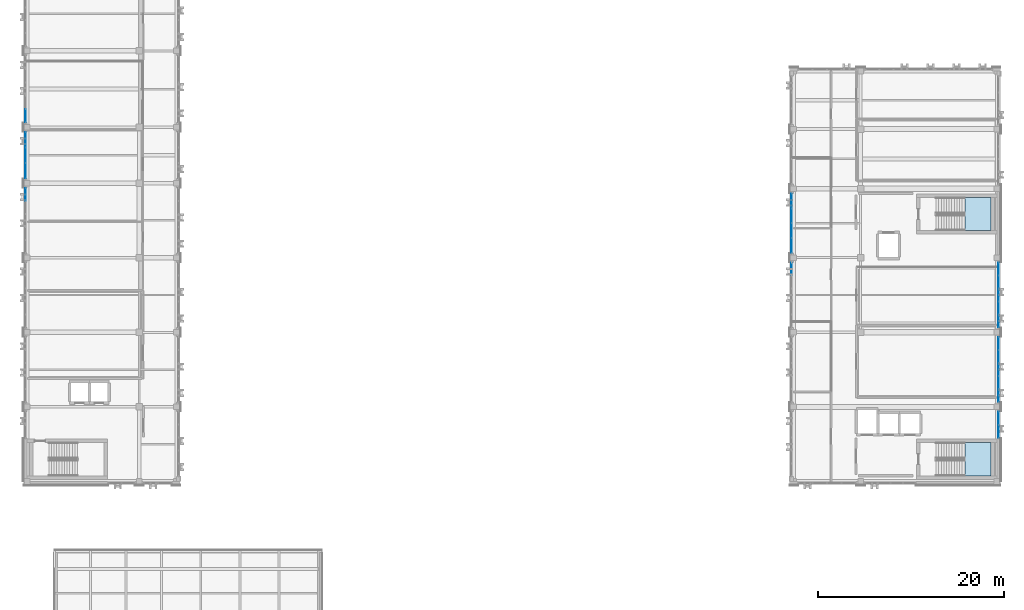
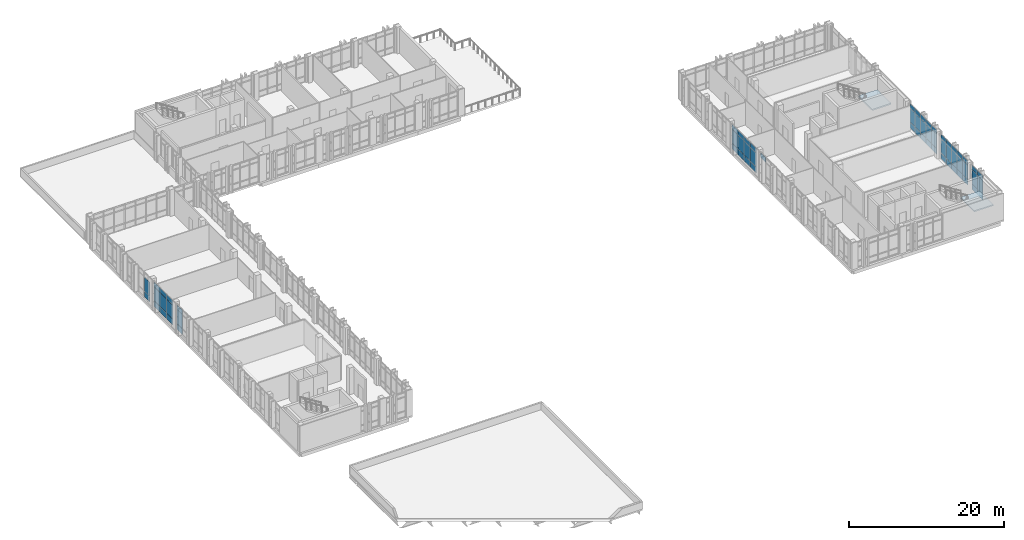
# One storey, part 61 of 90: 63 plates, 2 slabs, 10 elements without a shape of their own.
"""IFC4 building model written with IfcOpenShell, lengths in metres."""

from ifc_helpers import new_model, si_unit, direction, frame, origin, origin_2d, place, context, subcontext, project, spatial, polyline, rectangle, outline, extrude, material, layer, layer_set, type_object, element, aggregate, save


model = new_model("IFC4")

# Units and contexts
model_context = context("Model", 3, precision=1e-05, world=origin(), true_north=direction((0.0, 1.0)))
body_context = subcontext(model_context, "Body", "Model", "MODEL_VIEW")
ifc_project = project(units=[si_unit("LENGTHUNIT", "METRE"), si_unit("AREAUNIT", "SQUARE_METRE"), si_unit("VOLUMEUNIT", "CUBIC_METRE"), si_unit("PLANEANGLEUNIT", "RADIAN"), si_unit("MASSUNIT", "GRAM", prefix="KILO")], contexts=[model_context])

# Site, building, storey
site_placement = place(None, origin())
site = spatial("IfcSite", under=ifc_project, at=site_placement, CompositionType="ELEMENT")
building_placement = place(site_placement, origin())
building = spatial("IfcBuilding", under=site, at=building_placement, Name="Qalavern Law Courts", CompositionType="ELEMENT")
storey_placement = place(building_placement, frame((0.0, 0.0, 22.800048828125)))
storey = spatial("IfcBuildingStorey", under=building, at=storey_placement, Name="L05", CompositionType="ELEMENT", Elevation=22.800048828125)

# Curtain wall, plates
ifc_material_1 = material(Name="Anodised aluminium and insulated glazing", Category="aluminium")
ifc_layer_1 = layer(ifc_material_1, 0.159912109375)
ifc_layer_set_1 = layer_set([ifc_layer_1], Name="Anodised aluminium and insulated glazing")
curtain_wall_type = type_object("IfcCurtainWallType", Name="ENV-CW-CHAMB", PredefinedType="USERDEFINED", material=ifc_layer_set_1)
curtain_wall_1_placement = place(storey_placement, origin())
curtain_wall_1 = element("IfcCurtainWall", 1, at=curtain_wall_1_placement, inside=storey, type_object=curtain_wall_type, Name="V4 unitised curtain wall L05 east 1", ObjectType="UNITISED CURTAIN WALL", PredefinedType="USERDEFINED")
ifc_material_2 = material(Name="Insulated low-E acoustic glazing", Category="glass")
ifc_layer_2 = layer(ifc_material_2, 0.028076171875)
ifc_layer_set_2 = layer_set([ifc_layer_2], Name="Insulated low-E acoustic glazing")
plate_type_1 = type_object("IfcPlateType", Name="ENV-CWP-28", PredefinedType="CURTAIN_PANEL", material=ifc_layer_set_2)
plate_1_placement = place(storey_placement, frame((106.607421875, 46.7744140625, 0.048095703125), z_axis=(0.0, 0.0, 1.0), x_axis=(0.0, 1.0, 0.0)))
plate_1 = element("IfcPlate", 2, at=plate_1_placement, type_object=plate_type_1, Name="CW-04 panel 1.1", PredefinedType="CURTAIN_PANEL", context=body_context, shape_type="SweptSolid", body=[
    extrude(rectangle(XDim=1.35302734375, YDim=0.028076171875, at=origin_2d()), origin(), (0.0, 0.0, 1.0), 0.8779296875),
])
plate_2_placement = place(storey_placement, frame((106.607421875, 46.7744140625, 0.97412109375), z_axis=(0.0, 0.0, 1.0), x_axis=(0.0, 1.0, 0.0)))
plate_2 = element("IfcPlate", 3, at=plate_2_placement, type_object=plate_type_1, Name="CW-04 panel 1.2", PredefinedType="CURTAIN_PANEL", context=body_context, shape_type="SweptSolid", body=[
    extrude(rectangle(XDim=1.35302734375, YDim=0.028076171875, at=origin_2d()), origin(), (0.0, 0.0, 1.0), 2.181884765625),
])
plate_3_placement = place(storey_placement, frame((106.607421875, 46.7744140625, 3.2041015625), z_axis=(0.0, 0.0, 1.0), x_axis=(0.0, 1.0, 0.0)))
plate_3 = element("IfcPlate", 4, at=plate_3_placement, type_object=plate_type_1, Name="CW-04 panel 1.3", PredefinedType="CURTAIN_PANEL", context=body_context, shape_type="SweptSolid", body=[
    extrude(rectangle(XDim=1.35302734375, YDim=0.028076171875, at=origin_2d()), origin(), (0.0, 0.0, 1.0), 0.677978515625),
])
plate_4_placement = place(storey_placement, frame((106.607421875, 48.175537109375, 0.048095703125), z_axis=(0.0, 0.0, 1.0), x_axis=(0.0, 1.0, 0.0)))
plate_4 = element("IfcPlate", 5, at=plate_4_placement, type_object=plate_type_1, Name="CW-04 panel 2.1", PredefinedType="CURTAIN_PANEL", context=body_context, shape_type="SweptSolid", body=[
    extrude(rectangle(XDim=1.35302734375, YDim=0.028076171875, at=origin_2d()), origin(), (0.0, 0.0, 1.0), 0.8779296875),
])
plate_5_placement = place(storey_placement, frame((106.607421875, 48.175537109375, 0.97412109375), z_axis=(0.0, 0.0, 1.0), x_axis=(0.0, 1.0, 0.0)))
plate_5 = element("IfcPlate", 6, at=plate_5_placement, type_object=plate_type_1, Name="CW-04 panel 2.2", PredefinedType="CURTAIN_PANEL", context=body_context, shape_type="SweptSolid", body=[
    extrude(rectangle(XDim=1.35302734375, YDim=0.028076171875, at=origin_2d()), origin(), (0.0, 0.0, 1.0), 2.181884765625),
])
plate_6_placement = place(storey_placement, frame((106.607421875, 48.175537109375, 3.2041015625), z_axis=(0.0, 0.0, 1.0), x_axis=(0.0, 1.0, 0.0)))
plate_6 = element("IfcPlate", 7, at=plate_6_placement, type_object=plate_type_1, Name="CW-04 panel 2.3", PredefinedType="CURTAIN_PANEL", context=body_context, shape_type="SweptSolid", body=[
    extrude(rectangle(XDim=1.35302734375, YDim=0.028076171875, at=origin_2d()), origin(), (0.0, 0.0, 1.0), 0.677978515625),
])
aggregate(curtain_wall_1, [plate_1, plate_2, plate_3, plate_4, plate_5, plate_6])

curtain_wall_2_placement = place(storey_placement, origin())
curtain_wall_2 = element("IfcCurtainWall", 8, at=curtain_wall_2_placement, inside=storey, type_object=curtain_wall_type, Name="V3 unitised curtain wall L05 west 2", ObjectType="UNITISED CURTAIN WALL", PredefinedType="USERDEFINED")
ifc_layer_3 = layer(ifc_material_2, 0.031982421875)
ifc_layer_set_3 = layer_set([ifc_layer_3], Name="Insulated low-E acoustic glazing")
plate_type_2 = type_object("IfcPlateType", Name="ENV-CWP-32", PredefinedType="CURTAIN_PANEL", material=ifc_layer_set_3)
plate_7_placement = place(storey_placement, frame((2.1923828125, 80.632080078125, 0.048095703125), z_axis=(0.0, 0.0, 1.0), x_axis=(0.0, -1.0, 0.0)))
plate_7 = element("IfcPlate", 9, at=plate_7_placement, type_object=plate_type_2, Name="CW-04 panel 5.1", PredefinedType="CURTAIN_PANEL", context=body_context, shape_type="SweptSolid", body=[
    extrude(rectangle(XDim=1.367919921875, YDim=0.031982421875, at=origin_2d()), origin(), (0.0, 0.0, 1.0), 0.8779296875),
])
plate_8_placement = place(storey_placement, frame((2.1923828125, 80.632080078125, 0.97412109375), z_axis=(0.0, 0.0, 1.0), x_axis=(0.0, -1.0, 0.0)))
plate_8 = element("IfcPlate", 10, at=plate_8_placement, type_object=plate_type_2, Name="CW-04 panel 5.2", PredefinedType="CURTAIN_PANEL", context=body_context, shape_type="SweptSolid", body=[
    extrude(rectangle(XDim=1.367919921875, YDim=0.031982421875, at=origin_2d()), origin(), (0.0, 0.0, 1.0), 2.181884765625),
])
aggregate(curtain_wall_2, [plate_7, plate_8])

curtain_wall_3_placement = place(storey_placement, origin())
curtain_wall_3 = element("IfcCurtainWall", 11, at=curtain_wall_3_placement, inside=storey, type_object=curtain_wall_type, Name="V4 unitised curtain wall L05 east 2", ObjectType="UNITISED CURTAIN WALL", PredefinedType="USERDEFINED")
plate_9_placement = place(storey_placement, frame((106.607421875, 50.612060546875, 0.048095703125), z_axis=(0.0, 0.0, 1.0), x_axis=(0.0, 1.0, 0.0)))
plate_9 = element("IfcPlate", 12, at=plate_9_placement, type_object=plate_type_2, Name="CW-04 panel 1.1", PredefinedType="CURTAIN_PANEL", context=body_context, shape_type="SweptSolid", body=[
    extrude(rectangle(XDim=1.327880859375, YDim=0.031982421875, at=origin_2d()), origin(), (0.0, 0.0, 1.0), 0.8779296875),
])
plate_10_placement = place(storey_placement, frame((106.607421875, 50.612060546875, 0.97412109375), z_axis=(0.0, 0.0, 1.0), x_axis=(0.0, 1.0, 0.0)))
plate_10 = element("IfcPlate", 13, at=plate_10_placement, type_object=plate_type_2, Name="CW-04 panel 1.2", PredefinedType="CURTAIN_PANEL", context=body_context, shape_type="SweptSolid", body=[
    extrude(rectangle(XDim=1.327880859375, YDim=0.031982421875, at=origin_2d()), origin(), (0.0, 0.0, 1.0), 2.181884765625),
])
plate_11_placement = place(storey_placement, frame((106.607421875, 50.612060546875, 3.2041015625), z_axis=(0.0, 0.0, 1.0), x_axis=(0.0, 1.0, 0.0)))
plate_11 = element("IfcPlate", 14, at=plate_11_placement, type_object=plate_type_2, Name="CW-04 panel 1.3", PredefinedType="CURTAIN_PANEL", context=body_context, shape_type="SweptSolid", body=[
    extrude(rectangle(XDim=1.327880859375, YDim=0.031982421875, at=origin_2d()), origin(), (0.0, 0.0, 1.0), 0.677978515625),
])
plate_12_placement = place(storey_placement, frame((106.607421875, 52.0, 0.048095703125), z_axis=(0.0, 0.0, 1.0), x_axis=(0.0, 1.0, 0.0)))
plate_12 = element("IfcPlate", 15, at=plate_12_placement, type_object=plate_type_2, Name="CW-04 panel 2.1", PredefinedType="CURTAIN_PANEL", context=body_context, shape_type="SweptSolid", body=[
    extrude(rectangle(XDim=1.35205078125, YDim=0.031982421875, at=origin_2d()), origin(), (0.0, 0.0, 1.0), 0.8779296875),
])
plate_13_placement = place(storey_placement, frame((106.607421875, 52.0, 0.97412109375), z_axis=(0.0, 0.0, 1.0), x_axis=(0.0, 1.0, 0.0)))
plate_13 = element("IfcPlate", 16, at=plate_13_placement, type_object=plate_type_2, Name="CW-04 panel 2.2", PredefinedType="CURTAIN_PANEL", context=body_context, shape_type="SweptSolid", body=[
    extrude(rectangle(XDim=1.35205078125, YDim=0.031982421875, at=origin_2d()), origin(), (0.0, 0.0, 1.0), 2.181884765625),
])
plate_14_placement = place(storey_placement, frame((106.607421875, 52.0, 3.2041015625), z_axis=(0.0, 0.0, 1.0), x_axis=(0.0, 1.0, 0.0)))
plate_14 = element("IfcPlate", 17, at=plate_14_placement, type_object=plate_type_2, Name="CW-04 panel 2.3", PredefinedType="CURTAIN_PANEL", context=body_context, shape_type="SweptSolid", body=[
    extrude(rectangle(XDim=1.35205078125, YDim=0.031982421875, at=origin_2d()), origin(), (0.0, 0.0, 1.0), 0.677978515625),
])
plate_15_placement = place(storey_placement, frame((106.607421875, 53.39990234375, 0.048095703125), z_axis=(0.0, 0.0, 1.0), x_axis=(0.0, 1.0, 0.0)))
plate_15 = element("IfcPlate", 18, at=plate_15_placement, type_object=plate_type_2, Name="CW-04 panel 3.1", PredefinedType="CURTAIN_PANEL", context=body_context, shape_type="SweptSolid", body=[
    extrude(rectangle(XDim=1.35205078125, YDim=0.031982421875, at=origin_2d()), origin(), (0.0, 0.0, 1.0), 0.8779296875),
])
plate_16_placement = place(storey_placement, frame((106.607421875, 53.39990234375, 0.97412109375), z_axis=(0.0, 0.0, 1.0), x_axis=(0.0, 1.0, 0.0)))
plate_16 = element("IfcPlate", 19, at=plate_16_placement, type_object=plate_type_2, Name="CW-04 panel 3.2", PredefinedType="CURTAIN_PANEL", context=body_context, shape_type="SweptSolid", body=[
    extrude(rectangle(XDim=1.35205078125, YDim=0.031982421875, at=origin_2d()), origin(), (0.0, 0.0, 1.0), 2.181884765625),
])
plate_17_placement = place(storey_placement, frame((106.607421875, 53.39990234375, 3.2041015625), z_axis=(0.0, 0.0, 1.0), x_axis=(0.0, 1.0, 0.0)))
plate_17 = element("IfcPlate", 20, at=plate_17_placement, type_object=plate_type_2, Name="CW-04 panel 3.3", PredefinedType="CURTAIN_PANEL", context=body_context, shape_type="SweptSolid", body=[
    extrude(rectangle(XDim=1.35205078125, YDim=0.031982421875, at=origin_2d()), origin(), (0.0, 0.0, 1.0), 0.677978515625),
])
plate_18_placement = place(storey_placement, frame((106.607421875, 54.800048828125, 0.048095703125), z_axis=(0.0, 0.0, 1.0), x_axis=(0.0, 1.0, 0.0)))
plate_18 = element("IfcPlate", 21, at=plate_18_placement, type_object=plate_type_2, Name="CW-04 panel 4.1", PredefinedType="CURTAIN_PANEL", context=body_context, shape_type="SweptSolid", body=[
    extrude(rectangle(XDim=1.35205078125, YDim=0.031982421875, at=origin_2d()), origin(), (0.0, 0.0, 1.0), 0.8779296875),
])
plate_19_placement = place(storey_placement, frame((106.607421875, 54.800048828125, 0.97412109375), z_axis=(0.0, 0.0, 1.0), x_axis=(0.0, 1.0, 0.0)))
plate_19 = element("IfcPlate", 22, at=plate_19_placement, type_object=plate_type_2, Name="CW-04 panel 4.2", PredefinedType="CURTAIN_PANEL", context=body_context, shape_type="SweptSolid", body=[
    extrude(rectangle(XDim=1.35205078125, YDim=0.031982421875, at=origin_2d()), origin(), (0.0, 0.0, 1.0), 2.181884765625),
])
plate_20_placement = place(storey_placement, frame((106.607421875, 54.800048828125, 3.2041015625), z_axis=(0.0, 0.0, 1.0), x_axis=(0.0, 1.0, 0.0)))
plate_20 = element("IfcPlate", 23, at=plate_20_placement, type_object=plate_type_2, Name="CW-04 panel 4.3", PredefinedType="CURTAIN_PANEL", context=body_context, shape_type="SweptSolid", body=[
    extrude(rectangle(XDim=1.35205078125, YDim=0.031982421875, at=origin_2d()), origin(), (0.0, 0.0, 1.0), 0.677978515625),
])
plate_21_placement = place(storey_placement, frame((106.607421875, 56.18798828125, 0.048095703125), z_axis=(0.0, 0.0, 1.0), x_axis=(0.0, 1.0, 0.0)))
plate_21 = element("IfcPlate", 24, at=plate_21_placement, type_object=plate_type_2, Name="CW-04 panel 5.1", PredefinedType="CURTAIN_PANEL", context=body_context, shape_type="SweptSolid", body=[
    extrude(rectangle(XDim=1.327880859375, YDim=0.031982421875, at=origin_2d()), origin(), (0.0, 0.0, 1.0), 0.8779296875),
])
plate_22_placement = place(storey_placement, frame((106.607421875, 56.18798828125, 0.97412109375), z_axis=(0.0, 0.0, 1.0), x_axis=(0.0, 1.0, 0.0)))
plate_22 = element("IfcPlate", 25, at=plate_22_placement, type_object=plate_type_2, Name="CW-04 panel 5.2", PredefinedType="CURTAIN_PANEL", context=body_context, shape_type="SweptSolid", body=[
    extrude(rectangle(XDim=1.327880859375, YDim=0.031982421875, at=origin_2d()), origin(), (0.0, 0.0, 1.0), 2.181884765625),
])
plate_23_placement = place(storey_placement, frame((106.607421875, 56.18798828125, 3.2041015625), z_axis=(0.0, 0.0, 1.0), x_axis=(0.0, 1.0, 0.0)))
plate_23 = element("IfcPlate", 26, at=plate_23_placement, type_object=plate_type_2, Name="CW-04 panel 5.3", PredefinedType="CURTAIN_PANEL", context=body_context, shape_type="SweptSolid", body=[
    extrude(rectangle(XDim=1.327880859375, YDim=0.031982421875, at=origin_2d()), origin(), (0.0, 0.0, 1.0), 0.677978515625),
])
aggregate(curtain_wall_3, [plate_9, plate_10, plate_11, plate_12, plate_13, plate_14, plate_15, plate_16, plate_17, plate_18, plate_19, plate_20, plate_21, plate_22, plate_23])

curtain_wall_4_placement = place(storey_placement, origin())
curtain_wall_4 = element("IfcCurtainWall", 27, at=curtain_wall_4_placement, inside=storey, type_object=curtain_wall_type, Name="V3 unitised curtain wall L05 west 3", ObjectType="UNITISED CURTAIN WALL", PredefinedType="USERDEFINED")
ifc_layer_4 = layer(ifc_material_2, 0.035888671875)
ifc_layer_set_4 = layer_set([ifc_layer_4], Name="Insulated low-E acoustic glazing")
plate_type_3 = type_object("IfcPlateType", Name="ENV-CWP-36", PredefinedType="CURTAIN_PANEL", material=ifc_layer_set_4)
plate_24_placement = place(storey_placement, frame((2.1923828125, 78.0546875, 0.048095703125), z_axis=(0.0, 0.0, 1.0), x_axis=(0.0, -1.0, 0.0)))
plate_24 = element("IfcPlate", 28, at=plate_24_placement, type_object=plate_type_3, Name="CW-04 panel 1.1", PredefinedType="CURTAIN_PANEL", context=body_context, shape_type="SweptSolid", body=[
    extrude(rectangle(XDim=1.5947265625, YDim=0.035888671875, at=origin_2d()), origin(), (0.0, 0.0, 1.0), 0.8779296875),
])
plate_25_placement = place(storey_placement, frame((2.1923828125, 78.0546875, 0.97412109375), z_axis=(0.0, 0.0, 1.0), x_axis=(0.0, -1.0, 0.0)))
plate_25 = element("IfcPlate", 29, at=plate_25_placement, type_object=plate_type_3, Name="CW-04 panel 1.2", PredefinedType="CURTAIN_PANEL", context=body_context, shape_type="SweptSolid", body=[
    extrude(rectangle(XDim=1.5947265625, YDim=0.035888671875, at=origin_2d()), origin(), (0.0, 0.0, 1.0), 2.181884765625),
])
plate_26_placement = place(storey_placement, frame((2.1923828125, 78.0546875, 3.2041015625), z_axis=(0.0, 0.0, 1.0), x_axis=(0.0, -1.0, 0.0)))
plate_26 = element("IfcPlate", 30, at=plate_26_placement, type_object=plate_type_3, Name="CW-04 panel 1.3", PredefinedType="CURTAIN_PANEL", context=body_context, shape_type="SweptSolid", body=[
    extrude(rectangle(XDim=1.5947265625, YDim=0.035888671875, at=origin_2d()), origin(), (0.0, 0.0, 1.0), 0.677978515625),
])
plate_27_placement = place(storey_placement, frame((2.1923828125, 76.39990234375, 0.048095703125), z_axis=(0.0, 0.0, 1.0), x_axis=(0.0, -1.0, 0.0)))
plate_27 = element("IfcPlate", 31, at=plate_27_placement, type_object=plate_type_3, Name="CW-04 panel 2.1", PredefinedType="CURTAIN_PANEL", context=body_context, shape_type="SweptSolid", body=[
    extrude(rectangle(XDim=1.61865234375, YDim=0.035888671875, at=origin_2d()), origin(), (0.0, 0.0, 1.0), 0.8779296875),
])
plate_28_placement = place(storey_placement, frame((2.1923828125, 76.39990234375, 0.97412109375), z_axis=(0.0, 0.0, 1.0), x_axis=(0.0, -1.0, 0.0)))
plate_28 = element("IfcPlate", 32, at=plate_28_placement, type_object=plate_type_3, Name="CW-04 panel 2.2", PredefinedType="CURTAIN_PANEL", context=body_context, shape_type="SweptSolid", body=[
    extrude(rectangle(XDim=1.61865234375, YDim=0.035888671875, at=origin_2d()), origin(), (0.0, 0.0, 1.0), 2.181884765625),
])
plate_29_placement = place(storey_placement, frame((2.1923828125, 76.39990234375, 3.2041015625), z_axis=(0.0, 0.0, 1.0), x_axis=(0.0, -1.0, 0.0)))
plate_29 = element("IfcPlate", 33, at=plate_29_placement, type_object=plate_type_3, Name="CW-04 panel 2.3", PredefinedType="CURTAIN_PANEL", context=body_context, shape_type="SweptSolid", body=[
    extrude(rectangle(XDim=1.61865234375, YDim=0.035888671875, at=origin_2d()), origin(), (0.0, 0.0, 1.0), 0.677978515625),
])
plate_30_placement = place(storey_placement, frame((2.1923828125, 74.745361328125, 0.048095703125), z_axis=(0.0, 0.0, 1.0), x_axis=(0.0, -1.0, 0.0)))
plate_30 = element("IfcPlate", 34, at=plate_30_placement, type_object=plate_type_3, Name="CW-04 panel 3.1", PredefinedType="CURTAIN_PANEL", context=body_context, shape_type="SweptSolid", body=[
    extrude(rectangle(XDim=1.5947265625, YDim=0.035888671875, at=origin_2d()), origin(), (0.0, 0.0, 1.0), 0.8779296875),
])
plate_31_placement = place(storey_placement, frame((2.1923828125, 74.745361328125, 0.97412109375), z_axis=(0.0, 0.0, 1.0), x_axis=(0.0, -1.0, 0.0)))
plate_31 = element("IfcPlate", 35, at=plate_31_placement, type_object=plate_type_3, Name="CW-04 panel 3.2", PredefinedType="CURTAIN_PANEL", context=body_context, shape_type="SweptSolid", body=[
    extrude(rectangle(XDim=1.5947265625, YDim=0.035888671875, at=origin_2d()), origin(), (0.0, 0.0, 1.0), 2.181884765625),
])
plate_32_placement = place(storey_placement, frame((2.1923828125, 74.745361328125, 3.2041015625), z_axis=(0.0, 0.0, 1.0), x_axis=(0.0, -1.0, 0.0)))
plate_32 = element("IfcPlate", 36, at=plate_32_placement, type_object=plate_type_3, Name="CW-04 panel 3.3", PredefinedType="CURTAIN_PANEL", context=body_context, shape_type="SweptSolid", body=[
    extrude(rectangle(XDim=1.5947265625, YDim=0.035888671875, at=origin_2d()), origin(), (0.0, 0.0, 1.0), 0.677978515625),
])
aggregate(curtain_wall_4, [plate_24, plate_25, plate_26, plate_27, plate_28, plate_29, plate_30, plate_31, plate_32])

curtain_wall_5_placement = place(storey_placement, origin())
curtain_wall_5 = element("IfcCurtainWall", 37, at=curtain_wall_5_placement, inside=storey, type_object=curtain_wall_type, Name="V4 unitised curtain wall L05 east 3", ObjectType="UNITISED CURTAIN WALL", PredefinedType="USERDEFINED")
plate_33_placement = place(storey_placement, frame((106.607421875, 58.612060546875, 0.048095703125), z_axis=(0.0, 0.0, 1.0), x_axis=(0.0, 1.0, 0.0)))
plate_33 = element("IfcPlate", 38, at=plate_33_placement, type_object=plate_type_3, Name="CW-04 panel 1.1", PredefinedType="CURTAIN_PANEL", context=body_context, shape_type="SweptSolid", body=[
    extrude(rectangle(XDim=1.327880859375, YDim=0.035888671875, at=origin_2d()), origin(), (0.0, 0.0, 1.0), 0.8779296875),
])
plate_34_placement = place(storey_placement, frame((106.607421875, 58.612060546875, 0.97412109375), z_axis=(0.0, 0.0, 1.0), x_axis=(0.0, 1.0, 0.0)))
plate_34 = element("IfcPlate", 39, at=plate_34_placement, type_object=plate_type_3, Name="CW-04 panel 1.2", PredefinedType="CURTAIN_PANEL", context=body_context, shape_type="SweptSolid", body=[
    extrude(rectangle(XDim=1.327880859375, YDim=0.035888671875, at=origin_2d()), origin(), (0.0, 0.0, 1.0), 2.181884765625),
])
plate_35_placement = place(storey_placement, frame((106.607421875, 58.612060546875, 3.2041015625), z_axis=(0.0, 0.0, 1.0), x_axis=(0.0, 1.0, 0.0)))
plate_35 = element("IfcPlate", 40, at=plate_35_placement, type_object=plate_type_3, Name="CW-04 panel 1.3", PredefinedType="CURTAIN_PANEL", context=body_context, shape_type="SweptSolid", body=[
    extrude(rectangle(XDim=1.327880859375, YDim=0.035888671875, at=origin_2d()), origin(), (0.0, 0.0, 1.0), 0.677978515625),
])
plate_36_placement = place(storey_placement, frame((106.607421875, 60.0, 0.048095703125), z_axis=(0.0, 0.0, 1.0), x_axis=(0.0, 1.0, 0.0)))
plate_36 = element("IfcPlate", 41, at=plate_36_placement, type_object=plate_type_3, Name="CW-04 panel 2.1", PredefinedType="CURTAIN_PANEL", context=body_context, shape_type="SweptSolid", body=[
    extrude(rectangle(XDim=1.35205078125, YDim=0.035888671875, at=origin_2d()), origin(), (0.0, 0.0, 1.0), 0.8779296875),
])
plate_37_placement = place(storey_placement, frame((106.607421875, 60.0, 0.97412109375), z_axis=(0.0, 0.0, 1.0), x_axis=(0.0, 1.0, 0.0)))
plate_37 = element("IfcPlate", 42, at=plate_37_placement, type_object=plate_type_3, Name="CW-04 panel 2.2", PredefinedType="CURTAIN_PANEL", context=body_context, shape_type="SweptSolid", body=[
    extrude(rectangle(XDim=1.35205078125, YDim=0.035888671875, at=origin_2d()), origin(), (0.0, 0.0, 1.0), 2.181884765625),
])
plate_38_placement = place(storey_placement, frame((106.607421875, 60.0, 3.2041015625), z_axis=(0.0, 0.0, 1.0), x_axis=(0.0, 1.0, 0.0)))
plate_38 = element("IfcPlate", 43, at=plate_38_placement, type_object=plate_type_3, Name="CW-04 panel 2.3", PredefinedType="CURTAIN_PANEL", context=body_context, shape_type="SweptSolid", body=[
    extrude(rectangle(XDim=1.35205078125, YDim=0.035888671875, at=origin_2d()), origin(), (0.0, 0.0, 1.0), 0.677978515625),
])
plate_39_placement = place(storey_placement, frame((106.607421875, 61.39990234375, 0.048095703125), z_axis=(0.0, 0.0, 1.0), x_axis=(0.0, 1.0, 0.0)))
plate_39 = element("IfcPlate", 44, at=plate_39_placement, type_object=plate_type_3, Name="CW-04 panel 3.1", PredefinedType="CURTAIN_PANEL", context=body_context, shape_type="SweptSolid", body=[
    extrude(rectangle(XDim=1.35205078125, YDim=0.035888671875, at=origin_2d()), origin(), (0.0, 0.0, 1.0), 0.8779296875),
])
plate_40_placement = place(storey_placement, frame((106.607421875, 61.39990234375, 0.97412109375), z_axis=(0.0, 0.0, 1.0), x_axis=(0.0, 1.0, 0.0)))
plate_40 = element("IfcPlate", 45, at=plate_40_placement, type_object=plate_type_3, Name="CW-04 panel 3.2", PredefinedType="CURTAIN_PANEL", context=body_context, shape_type="SweptSolid", body=[
    extrude(rectangle(XDim=1.35205078125, YDim=0.035888671875, at=origin_2d()), origin(), (0.0, 0.0, 1.0), 2.181884765625),
])
plate_41_placement = place(storey_placement, frame((106.607421875, 61.39990234375, 3.2041015625), z_axis=(0.0, 0.0, 1.0), x_axis=(0.0, 1.0, 0.0)))
plate_41 = element("IfcPlate", 46, at=plate_41_placement, type_object=plate_type_3, Name="CW-04 panel 3.3", PredefinedType="CURTAIN_PANEL", context=body_context, shape_type="SweptSolid", body=[
    extrude(rectangle(XDim=1.35205078125, YDim=0.035888671875, at=origin_2d()), origin(), (0.0, 0.0, 1.0), 0.677978515625),
])
plate_42_placement = place(storey_placement, frame((106.607421875, 62.800048828125, 0.048095703125), z_axis=(0.0, 0.0, 1.0), x_axis=(0.0, 1.0, 0.0)))
plate_42 = element("IfcPlate", 47, at=plate_42_placement, type_object=plate_type_3, Name="CW-04 panel 4.1", PredefinedType="CURTAIN_PANEL", context=body_context, shape_type="SweptSolid", body=[
    extrude(rectangle(XDim=1.35205078125, YDim=0.035888671875, at=origin_2d()), origin(), (0.0, 0.0, 1.0), 0.8779296875),
])
plate_43_placement = place(storey_placement, frame((106.607421875, 62.800048828125, 0.97412109375), z_axis=(0.0, 0.0, 1.0), x_axis=(0.0, 1.0, 0.0)))
plate_43 = element("IfcPlate", 48, at=plate_43_placement, type_object=plate_type_3, Name="CW-04 panel 4.2", PredefinedType="CURTAIN_PANEL", context=body_context, shape_type="SweptSolid", body=[
    extrude(rectangle(XDim=1.35205078125, YDim=0.035888671875, at=origin_2d()), origin(), (0.0, 0.0, 1.0), 2.181884765625),
])
plate_44_placement = place(storey_placement, frame((106.607421875, 62.800048828125, 3.2041015625), z_axis=(0.0, 0.0, 1.0), x_axis=(0.0, 1.0, 0.0)))
plate_44 = element("IfcPlate", 49, at=plate_44_placement, type_object=plate_type_3, Name="CW-04 panel 4.3", PredefinedType="CURTAIN_PANEL", context=body_context, shape_type="SweptSolid", body=[
    extrude(rectangle(XDim=1.35205078125, YDim=0.035888671875, at=origin_2d()), origin(), (0.0, 0.0, 1.0), 0.677978515625),
])
plate_45_placement = place(storey_placement, frame((106.607421875, 64.18798828125, 0.048095703125), z_axis=(0.0, 0.0, 1.0), x_axis=(0.0, 1.0, 0.0)))
plate_45 = element("IfcPlate", 50, at=plate_45_placement, type_object=plate_type_3, Name="CW-04 panel 5.1", PredefinedType="CURTAIN_PANEL", context=body_context, shape_type="SweptSolid", body=[
    extrude(rectangle(XDim=1.327880859375, YDim=0.035888671875, at=origin_2d()), origin(), (0.0, 0.0, 1.0), 0.8779296875),
])
plate_46_placement = place(storey_placement, frame((106.607421875, 64.18798828125, 0.97412109375), z_axis=(0.0, 0.0, 1.0), x_axis=(0.0, 1.0, 0.0)))
plate_46 = element("IfcPlate", 51, at=plate_46_placement, type_object=plate_type_3, Name="CW-04 panel 5.2", PredefinedType="CURTAIN_PANEL", context=body_context, shape_type="SweptSolid", body=[
    extrude(rectangle(XDim=1.327880859375, YDim=0.035888671875, at=origin_2d()), origin(), (0.0, 0.0, 1.0), 2.181884765625),
])
plate_47_placement = place(storey_placement, frame((106.607421875, 64.18798828125, 3.2041015625), z_axis=(0.0, 0.0, 1.0), x_axis=(0.0, 1.0, 0.0)))
plate_47 = element("IfcPlate", 52, at=plate_47_placement, type_object=plate_type_3, Name="CW-04 panel 5.3", PredefinedType="CURTAIN_PANEL", context=body_context, shape_type="SweptSolid", body=[
    extrude(rectangle(XDim=1.327880859375, YDim=0.035888671875, at=origin_2d()), origin(), (0.0, 0.0, 1.0), 0.677978515625),
])
aggregate(curtain_wall_5, [plate_33, plate_34, plate_35, plate_36, plate_37, plate_38, plate_39, plate_40, plate_41, plate_42, plate_43, plate_44, plate_45, plate_46, plate_47])

curtain_wall_6_placement = place(storey_placement, origin())
curtain_wall_6 = element("IfcCurtainWall", 53, at=curtain_wall_6_placement, inside=storey, type_object=curtain_wall_type, Name="V4 unitised curtain wall L05 west 3", ObjectType="UNITISED CURTAIN WALL", PredefinedType="USERDEFINED")
plate_48_placement = place(storey_placement, frame((84.392578125, 71.488037109375, 0.048095703125), z_axis=(0.0, 0.0, 1.0), x_axis=(0.0, -1.0, 0.0)))
plate_48 = element("IfcPlate", 54, at=plate_48_placement, type_object=plate_type_3, Name="CW-04 panel 1.1", PredefinedType="CURTAIN_PANEL", context=body_context, shape_type="SweptSolid", body=[
    extrude(rectangle(XDim=1.528076171875, YDim=0.035888671875, at=origin_2d()), origin(), (0.0, 0.0, 1.0), 0.8779296875),
])
plate_49_placement = place(storey_placement, frame((84.392578125, 71.488037109375, 0.97412109375), z_axis=(0.0, 0.0, 1.0), x_axis=(0.0, -1.0, 0.0)))
plate_49 = element("IfcPlate", 55, at=plate_49_placement, type_object=plate_type_3, Name="CW-04 panel 1.2", PredefinedType="CURTAIN_PANEL", context=body_context, shape_type="SweptSolid", body=[
    extrude(rectangle(XDim=1.528076171875, YDim=0.035888671875, at=origin_2d()), origin(), (0.0, 0.0, 1.0), 2.181884765625),
])
plate_50_placement = place(storey_placement, frame((84.392578125, 71.488037109375, 3.2041015625), z_axis=(0.0, 0.0, 1.0), x_axis=(0.0, -1.0, 0.0)))
plate_50 = element("IfcPlate", 56, at=plate_50_placement, type_object=plate_type_3, Name="CW-04 panel 1.3", PredefinedType="CURTAIN_PANEL", context=body_context, shape_type="SweptSolid", body=[
    extrude(rectangle(XDim=1.528076171875, YDim=0.035888671875, at=origin_2d()), origin(), (0.0, 0.0, 1.0), 0.677978515625),
])
plate_51_placement = place(storey_placement, frame((84.392578125, 69.89990234375, 0.048095703125), z_axis=(0.0, 0.0, 1.0), x_axis=(0.0, -1.0, 0.0)))
plate_51 = element("IfcPlate", 57, at=plate_51_placement, type_object=plate_type_3, Name="CW-04 panel 2.1", PredefinedType="CURTAIN_PANEL", context=body_context, shape_type="SweptSolid", body=[
    extrude(rectangle(XDim=1.552001953125, YDim=0.035888671875, at=origin_2d()), origin(), (0.0, 0.0, 1.0), 0.8779296875),
])
plate_52_placement = place(storey_placement, frame((84.392578125, 69.89990234375, 0.97412109375), z_axis=(0.0, 0.0, 1.0), x_axis=(0.0, -1.0, 0.0)))
plate_52 = element("IfcPlate", 58, at=plate_52_placement, type_object=plate_type_3, Name="CW-04 panel 2.2", PredefinedType="CURTAIN_PANEL", context=body_context, shape_type="SweptSolid", body=[
    extrude(rectangle(XDim=1.552001953125, YDim=0.035888671875, at=origin_2d()), origin(), (0.0, 0.0, 1.0), 2.181884765625),
])
plate_53_placement = place(storey_placement, frame((84.392578125, 69.89990234375, 3.2041015625), z_axis=(0.0, 0.0, 1.0), x_axis=(0.0, -1.0, 0.0)))
plate_53 = element("IfcPlate", 59, at=plate_53_placement, type_object=plate_type_3, Name="CW-04 panel 2.3", PredefinedType="CURTAIN_PANEL", context=body_context, shape_type="SweptSolid", body=[
    extrude(rectangle(XDim=1.552001953125, YDim=0.035888671875, at=origin_2d()), origin(), (0.0, 0.0, 1.0), 0.677978515625),
])
plate_54_placement = place(storey_placement, frame((84.392578125, 68.300048828125, 0.048095703125), z_axis=(0.0, 0.0, 1.0), x_axis=(0.0, -1.0, 0.0)))
plate_54 = element("IfcPlate", 60, at=plate_54_placement, type_object=plate_type_3, Name="CW-04 panel 3.1", PredefinedType="CURTAIN_PANEL", context=body_context, shape_type="SweptSolid", body=[
    extrude(rectangle(XDim=1.552001953125, YDim=0.035888671875, at=origin_2d()), origin(), (0.0, 0.0, 1.0), 0.8779296875),
])
plate_55_placement = place(storey_placement, frame((84.392578125, 68.300048828125, 0.97412109375), z_axis=(0.0, 0.0, 1.0), x_axis=(0.0, -1.0, 0.0)))
plate_55 = element("IfcPlate", 61, at=plate_55_placement, type_object=plate_type_3, Name="CW-04 panel 3.2", PredefinedType="CURTAIN_PANEL", context=body_context, shape_type="SweptSolid", body=[
    extrude(rectangle(XDim=1.552001953125, YDim=0.035888671875, at=origin_2d()), origin(), (0.0, 0.0, 1.0), 2.181884765625),
])
plate_56_placement = place(storey_placement, frame((84.392578125, 68.300048828125, 3.2041015625), z_axis=(0.0, 0.0, 1.0), x_axis=(0.0, -1.0, 0.0)))
plate_56 = element("IfcPlate", 62, at=plate_56_placement, type_object=plate_type_3, Name="CW-04 panel 3.3", PredefinedType="CURTAIN_PANEL", context=body_context, shape_type="SweptSolid", body=[
    extrude(rectangle(XDim=1.552001953125, YDim=0.035888671875, at=origin_2d()), origin(), (0.0, 0.0, 1.0), 0.677978515625),
])
plate_57_placement = place(storey_placement, frame((84.392578125, 66.7119140625, 0.048095703125), z_axis=(0.0, 0.0, 1.0), x_axis=(0.0, -1.0, 0.0)))
plate_57 = element("IfcPlate", 63, at=plate_57_placement, type_object=plate_type_3, Name="CW-04 panel 4.1", PredefinedType="CURTAIN_PANEL", context=body_context, shape_type="SweptSolid", body=[
    extrude(rectangle(XDim=1.528076171875, YDim=0.035888671875, at=origin_2d()), origin(), (0.0, 0.0, 1.0), 0.8779296875),
])
plate_58_placement = place(storey_placement, frame((84.392578125, 66.7119140625, 0.97412109375), z_axis=(0.0, 0.0, 1.0), x_axis=(0.0, -1.0, 0.0)))
plate_58 = element("IfcPlate", 64, at=plate_58_placement, type_object=plate_type_3, Name="CW-04 panel 4.2", PredefinedType="CURTAIN_PANEL", context=body_context, shape_type="SweptSolid", body=[
    extrude(rectangle(XDim=1.528076171875, YDim=0.035888671875, at=origin_2d()), origin(), (0.0, 0.0, 1.0), 2.181884765625),
])
plate_59_placement = place(storey_placement, frame((84.392578125, 66.7119140625, 3.2041015625), z_axis=(0.0, 0.0, 1.0), x_axis=(0.0, -1.0, 0.0)))
plate_59 = element("IfcPlate", 65, at=plate_59_placement, type_object=plate_type_3, Name="CW-04 panel 4.3", PredefinedType="CURTAIN_PANEL", context=body_context, shape_type="SweptSolid", body=[
    extrude(rectangle(XDim=1.528076171875, YDim=0.035888671875, at=origin_2d()), origin(), (0.0, 0.0, 1.0), 0.677978515625),
])
aggregate(curtain_wall_6, [plate_48, plate_49, plate_50, plate_51, plate_52, plate_53, plate_54, plate_55, plate_56, plate_57, plate_58, plate_59])

curtain_wall_7_placement = place(storey_placement, origin())
curtain_wall_7 = element("IfcCurtainWall", 66, at=curtain_wall_7_placement, inside=storey, type_object=curtain_wall_type, Name="V3 unitised curtain wall L05 west 4", ObjectType="UNITISED CURTAIN WALL", PredefinedType="USERDEFINED")
ifc_layer_5 = layer(ifc_material_2, 0.0400390625)
ifc_layer_set_5 = layer_set([ifc_layer_5], Name="Insulated low-E acoustic glazing")
plate_type_4 = type_object("IfcPlateType", Name="ENV-CWP-40", PredefinedType="CURTAIN_PANEL", material=ifc_layer_set_5)
plate_60_placement = place(storey_placement, frame((2.1923828125, 72.18798828125, 0.048095703125), z_axis=(0.0, 0.0, 1.0), x_axis=(0.0, -1.0, 0.0)))
plate_60 = element("IfcPlate", 67, at=plate_60_placement, type_object=plate_type_4, Name="CW-04 panel 1.1", PredefinedType="CURTAIN_PANEL", context=body_context, shape_type="SweptSolid", body=[
    extrude(rectangle(XDim=1.327880859375, YDim=0.0400390625, at=origin_2d()), origin(), (0.0, 0.0, 1.0), 0.8779296875),
])
plate_61_placement = place(storey_placement, frame((2.1923828125, 72.18798828125, 0.97412109375), z_axis=(0.0, 0.0, 1.0), x_axis=(0.0, -1.0, 0.0)))
plate_61 = element("IfcPlate", 68, at=plate_61_placement, type_object=plate_type_4, Name="CW-04 panel 1.2", PredefinedType="CURTAIN_PANEL", context=body_context, shape_type="SweptSolid", body=[
    extrude(rectangle(XDim=1.327880859375, YDim=0.0400390625, at=origin_2d()), origin(), (0.0, 0.0, 1.0), 2.181884765625),
])
plate_62_placement = place(storey_placement, frame((2.1923828125, 72.18798828125, 3.2041015625), z_axis=(0.0, 0.0, 1.0), x_axis=(0.0, -1.0, 0.0)))
plate_62 = element("IfcPlate", 69, at=plate_62_placement, type_object=plate_type_4, Name="CW-04 panel 1.3", PredefinedType="CURTAIN_PANEL", context=body_context, shape_type="SweptSolid", body=[
    extrude(rectangle(XDim=1.327880859375, YDim=0.0400390625, at=origin_2d()), origin(), (0.0, 0.0, 1.0), 0.677978515625),
])
aggregate(curtain_wall_7, [plate_60, plate_61, plate_62])

# Curtain wall, plate
curtain_wall_8_placement = place(storey_placement, origin())
curtain_wall_8 = element("IfcCurtainWall", 70, at=curtain_wall_8_placement, inside=storey, type_object=curtain_wall_type, Name="V4 unitised curtain wall L05 west 4", ObjectType="UNITISED CURTAIN WALL", PredefinedType="USERDEFINED")
plate_63_placement = place(storey_placement, frame((84.392578125, 64.18798828125, 3.2041015625), z_axis=(0.0, 0.0, 1.0), x_axis=(0.0, -1.0, 0.0)))
plate_63 = element("IfcPlate", 71, at=plate_63_placement, type_object=plate_type_4, Name="CW-04 panel 1.3", PredefinedType="CURTAIN_PANEL", context=body_context, shape_type="SweptSolid", body=[
    extrude(rectangle(XDim=1.327880859375, YDim=0.0400390625, at=origin_2d()), origin(), (0.0, 0.0, 1.0), 0.677978515625),
])
aggregate(curtain_wall_8, [plate_63])

# Stair, slab
ifc_material_3 = material(Name="Concrete C35/45", Category="concrete")
stair_type = type_object("IfcStairType", Name="INT-STAIR-1700", PredefinedType="HALF_TURN_STAIR", material=ifc_material_3)
stair_1_placement = place(storey_placement, origin())
stair_1 = element("IfcStair", 72, at=stair_1_placement, inside=storey, type_object=stair_type, Name="L05 ST-K1A", PredefinedType="HALF_TURN_STAIR")
ifc_layer_6 = layer(ifc_material_3, 0.199951171875)
ifc_layer_set_6 = layer_set([ifc_layer_6], Name="Concrete C35/45")
slab_type = type_object("IfcSlabType", Name="INT-LANDING-200", PredefinedType="LANDING", material=ifc_layer_set_6)
slab_1_placement = place(storey_placement, frame((0.0, 0.0, 1.89990234375)))
slab_1 = element("IfcSlab", 73, at=slab_1_placement, type_object=slab_type, Name="ST-K1A landing 1", PredefinedType="LANDING", context=body_context, shape_type="SweptSolid", body=[
    extrude(outline(polyline([(102.97998046875, 42.0), (105.800048828125, 42.0), (105.800048828125, 45.550048828125), (102.97998046875, 45.550048828125), (102.97998046875, 42.0)])), origin(), (0.0, 0.0, 1.0), 0.199951171875),
])
aggregate(stair_1, [slab_1])

stair_2_placement = place(storey_placement, origin())
stair_2 = element("IfcStair", 74, at=stair_2_placement, inside=storey, type_object=stair_type, Name="L05 ST-K1B", PredefinedType="HALF_TURN_STAIR")
slab_2_placement = place(storey_placement, frame((0.0, 0.0, 1.89990234375)))
slab_2 = element("IfcSlab", 75, at=slab_2_placement, type_object=slab_type, Name="ST-K1B landing 1", PredefinedType="LANDING", context=body_context, shape_type="SweptSolid", body=[
    extrude(outline(polyline([(102.97998046875, 68.300048828125), (105.800048828125, 68.300048828125), (105.800048828125, 71.85009765625), (102.97998046875, 71.85009765625), (102.97998046875, 68.300048828125)])), origin(), (0.0, 0.0, 1.0), 0.199951171875),
])
aggregate(stair_2, [slab_2])

save(model, "model.ifc")
